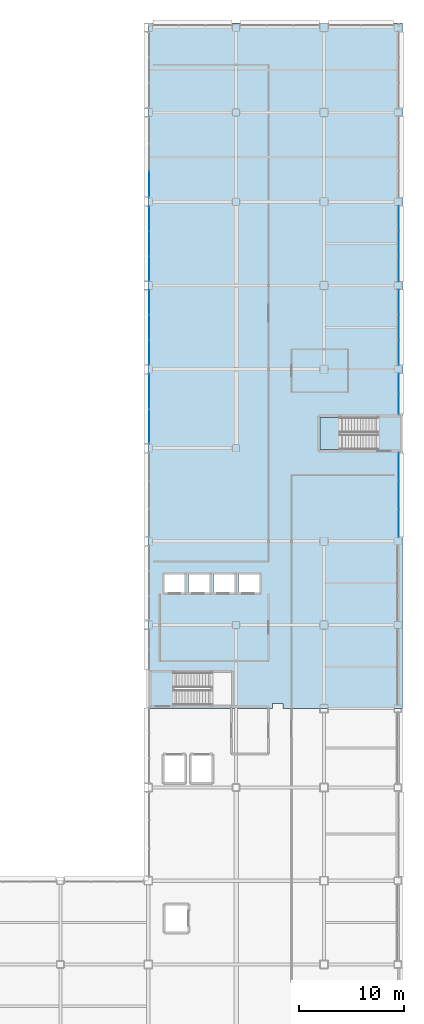
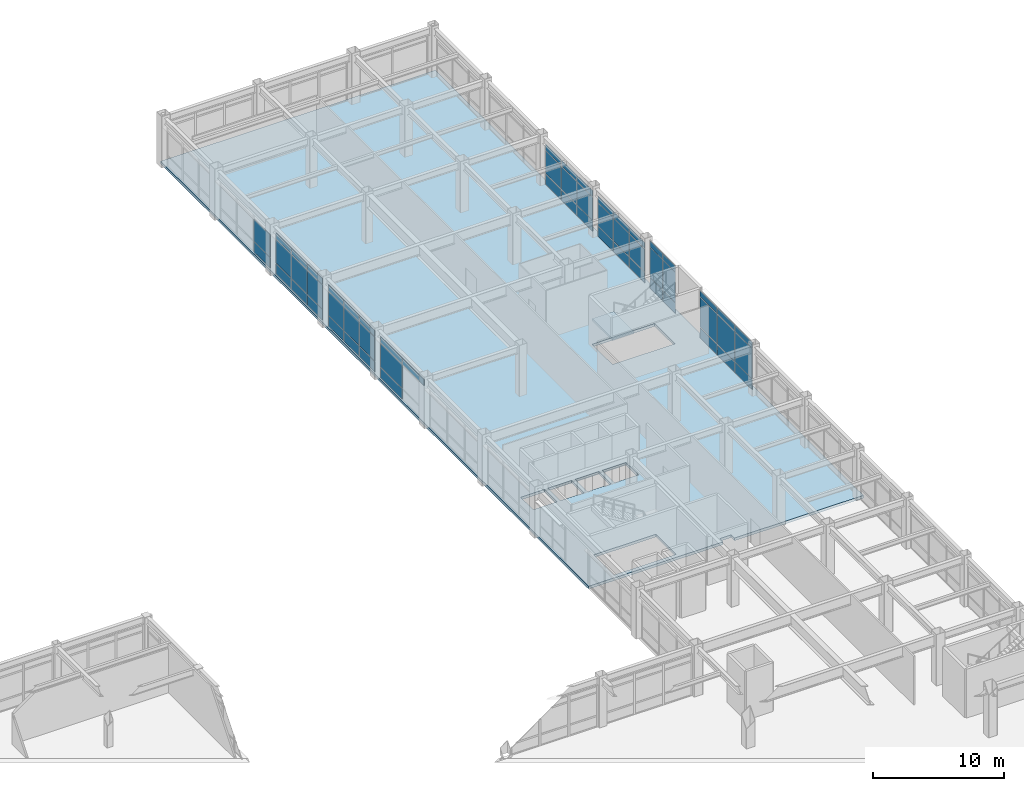
# One storey, part 127 of 154: 57 plates, 2 slabs, 9 elements without a shape of their own.
"""IFC4 building model written with IfcOpenShell, lengths in metres."""

from ifc_helpers import new_model, si_unit, direction, frame, origin, origin_2d, place, context, subcontext, project, spatial, polyline, rectangle, outline, extrude, material, layer, layer_set, type_object, element, aggregate, save


model = new_model("IFC4")

# Units and contexts
model_context = context("Model", 3, precision=1e-05, world=origin(), true_north=direction((0.0, 1.0)))
body_context = subcontext(model_context, "Body", "Model", "MODEL_VIEW")
ifc_project = project(units=[si_unit("LENGTHUNIT", "METRE"), si_unit("AREAUNIT", "SQUARE_METRE"), si_unit("VOLUMEUNIT", "CUBIC_METRE"), si_unit("PLANEANGLEUNIT", "RADIAN"), si_unit("MASSUNIT", "GRAM", prefix="KILO")], contexts=[model_context])

# Site, building, storey
site_placement = place(None, origin())
site = spatial("IfcSite", under=ifc_project, at=site_placement, CompositionType="ELEMENT")
building_placement = place(site_placement, origin())
building = spatial("IfcBuilding", under=site, at=building_placement, Name="Kazehara Bluff Congress Hotel", CompositionType="ELEMENT")
storey_placement = place(building_placement, frame((0.0, 0.0, 10.199951171875)))
storey = spatial("IfcBuildingStorey", under=building, at=storey_placement, Name="L02", CompositionType="ELEMENT", Elevation=10.199951171875)

# Curtain wall, plates
ifc_material_1 = material(Name="Anodised aluminium", Category="aluminium")
ifc_layer_1 = layer(ifc_material_1, 0.159912109375)
ifc_layer_set_1 = layer_set([ifc_layer_1], Name="Anodised aluminium")
curtain_wall_type_1 = type_object("IfcCurtainWallType", Name="TP-CW-80", PredefinedType="NOTDEFINED", material=ifc_layer_set_1)
curtain_wall_1_placement = place(storey_placement, origin())
curtain_wall_1 = element("IfcCurtainWall", 1, at=curtain_wall_1_placement, inside=storey, type_object=curtain_wall_type_1, Name="L02 curtain wall CW-80 CW-ENC-V5-L02-16765-8490", PredefinedType="NOTDEFINED")
ifc_material_2 = material(Name="Insulated low-E double glazing", Category="glass")
ifc_layer_2 = layer(ifc_material_2, 0.028076171875)
ifc_layer_set_2 = layer_set([ifc_layer_2], Name="Insulated low-E double glazing")
plate_type_1 = type_object("IfcPlateType", Name="TP-CWP-01", PredefinedType="CURTAIN_PANEL", material=ifc_layer_set_2)
plate_1_placement = place(storey_placement, frame((167.64990234375, 87.317138671875, 0.06494140625), z_axis=(0.0, 0.0, 1.0), x_axis=(0.0, -1.0, 0.0)))
plate_1 = element("IfcPlate", 2, at=plate_1_placement, type_object=plate_type_1, Name="CW-80 panel 1.1", PredefinedType="CURTAIN_PANEL", context=body_context, shape_type="SweptSolid", body=[
    extrude(rectangle(XDim=2.3359375, YDim=0.028076171875, at=origin_2d()), origin(), (0.0, 0.0, 1.0), 0.952392578125),
])
plate_2_placement = place(storey_placement, frame((167.64990234375, 87.317138671875, 1.08251953125), z_axis=(0.0, 0.0, 1.0), x_axis=(0.0, -1.0, 0.0)))
plate_2 = element("IfcPlate", 3, at=plate_2_placement, type_object=plate_type_1, Name="CW-80 panel 1.2", PredefinedType="CURTAIN_PANEL", context=body_context, shape_type="SweptSolid", body=[
    extrude(rectangle(XDim=2.3359375, YDim=0.028076171875, at=origin_2d()), origin(), (0.0, 0.0, 1.0), 2.1201171875),
])
plate_3_placement = place(storey_placement, frame((167.64990234375, 87.317138671875, 3.267578125), z_axis=(0.0, 0.0, 1.0), x_axis=(0.0, -1.0, 0.0)))
plate_3 = element("IfcPlate", 4, at=plate_3_placement, type_object=plate_type_1, Name="CW-80 panel 1.3", PredefinedType="CURTAIN_PANEL", context=body_context, shape_type="SweptSolid", body=[
    extrude(rectangle(XDim=2.3359375, YDim=0.028076171875, at=origin_2d()), origin(), (0.0, 0.0, 1.0), 0.552490234375),
])
plate_4_placement = place(storey_placement, frame((167.64990234375, 84.89990234375, 0.06494140625), z_axis=(0.0, 0.0, 1.0), x_axis=(0.0, -1.0, 0.0)))
plate_4 = element("IfcPlate", 5, at=plate_4_placement, type_object=plate_type_1, Name="CW-80 panel 2.1", PredefinedType="CURTAIN_PANEL", context=body_context, shape_type="SweptSolid", body=[
    extrude(rectangle(XDim=2.368408203125, YDim=0.028076171875, at=origin_2d()), origin(), (0.0, 0.0, 1.0), 0.952392578125),
])
plate_5_placement = place(storey_placement, frame((167.64990234375, 84.89990234375, 1.08251953125), z_axis=(0.0, 0.0, 1.0), x_axis=(0.0, -1.0, 0.0)))
plate_5 = element("IfcPlate", 6, at=plate_5_placement, type_object=plate_type_1, Name="CW-80 panel 2.2", PredefinedType="CURTAIN_PANEL", context=body_context, shape_type="SweptSolid", body=[
    extrude(rectangle(XDim=2.368408203125, YDim=0.028076171875, at=origin_2d()), origin(), (0.0, 0.0, 1.0), 2.1201171875),
])
plate_6_placement = place(storey_placement, frame((167.64990234375, 84.89990234375, 3.267578125), z_axis=(0.0, 0.0, 1.0), x_axis=(0.0, -1.0, 0.0)))
plate_6 = element("IfcPlate", 7, at=plate_6_placement, type_object=plate_type_1, Name="CW-80 panel 2.3", PredefinedType="CURTAIN_PANEL", context=body_context, shape_type="SweptSolid", body=[
    extrude(rectangle(XDim=2.368408203125, YDim=0.028076171875, at=origin_2d()), origin(), (0.0, 0.0, 1.0), 0.552490234375),
])
plate_7_placement = place(storey_placement, frame((167.64990234375, 82.48291015625, 0.06494140625), z_axis=(0.0, 0.0, 1.0), x_axis=(0.0, -1.0, 0.0)))
plate_7 = element("IfcPlate", 8, at=plate_7_placement, type_object=plate_type_1, Name="CW-80 panel 3.1", PredefinedType="CURTAIN_PANEL", context=body_context, shape_type="SweptSolid", body=[
    extrude(rectangle(XDim=2.3359375, YDim=0.028076171875, at=origin_2d()), origin(), (0.0, 0.0, 1.0), 0.952392578125),
])
plate_8_placement = place(storey_placement, frame((167.64990234375, 82.48291015625, 1.08251953125), z_axis=(0.0, 0.0, 1.0), x_axis=(0.0, -1.0, 0.0)))
plate_8 = element("IfcPlate", 9, at=plate_8_placement, type_object=plate_type_1, Name="CW-80 panel 3.2", PredefinedType="CURTAIN_PANEL", context=body_context, shape_type="SweptSolid", body=[
    extrude(rectangle(XDim=2.3359375, YDim=0.028076171875, at=origin_2d()), origin(), (0.0, 0.0, 1.0), 2.1201171875),
])
plate_9_placement = place(storey_placement, frame((167.64990234375, 82.48291015625, 3.267578125), z_axis=(0.0, 0.0, 1.0), x_axis=(0.0, -1.0, 0.0)))
plate_9 = element("IfcPlate", 10, at=plate_9_placement, type_object=plate_type_1, Name="CW-80 panel 3.3", PredefinedType="CURTAIN_PANEL", context=body_context, shape_type="SweptSolid", body=[
    extrude(rectangle(XDim=2.3359375, YDim=0.028076171875, at=origin_2d()), origin(), (0.0, 0.0, 1.0), 0.552490234375),
])
aggregate(curtain_wall_1, [plate_1, plate_2, plate_3, plate_4, plate_5, plate_6, plate_7, plate_8, plate_9])

curtain_wall_2_placement = place(storey_placement, origin())
curtain_wall_2 = element("IfcCurtainWall", 11, at=curtain_wall_2_placement, inside=storey, type_object=curtain_wall_type_1, Name="L02 curtain wall CW-80 CW-ENC-V5-L02-16765-9290", PredefinedType="NOTDEFINED")
plate_10_placement = place(storey_placement, frame((167.64990234375, 95.317138671875, 0.06494140625), z_axis=(0.0, 0.0, 1.0), x_axis=(0.0, -1.0, 0.0)))
plate_10 = element("IfcPlate", 12, at=plate_10_placement, type_object=plate_type_1, Name="CW-80 panel 1.1", PredefinedType="CURTAIN_PANEL", context=body_context, shape_type="SweptSolid", body=[
    extrude(rectangle(XDim=2.3359375, YDim=0.028076171875, at=origin_2d()), origin(), (0.0, 0.0, 1.0), 0.952392578125),
])
plate_11_placement = place(storey_placement, frame((167.64990234375, 95.317138671875, 1.08251953125), z_axis=(0.0, 0.0, 1.0), x_axis=(0.0, -1.0, 0.0)))
plate_11 = element("IfcPlate", 13, at=plate_11_placement, type_object=plate_type_1, Name="CW-80 panel 1.2", PredefinedType="CURTAIN_PANEL", context=body_context, shape_type="SweptSolid", body=[
    extrude(rectangle(XDim=2.3359375, YDim=0.028076171875, at=origin_2d()), origin(), (0.0, 0.0, 1.0), 2.1201171875),
])
plate_12_placement = place(storey_placement, frame((167.64990234375, 95.317138671875, 3.267578125), z_axis=(0.0, 0.0, 1.0), x_axis=(0.0, -1.0, 0.0)))
plate_12 = element("IfcPlate", 14, at=plate_12_placement, type_object=plate_type_1, Name="CW-80 panel 1.3", PredefinedType="CURTAIN_PANEL", context=body_context, shape_type="SweptSolid", body=[
    extrude(rectangle(XDim=2.3359375, YDim=0.028076171875, at=origin_2d()), origin(), (0.0, 0.0, 1.0), 0.552490234375),
])
plate_13_placement = place(storey_placement, frame((167.64990234375, 92.89990234375, 0.06494140625), z_axis=(0.0, 0.0, 1.0), x_axis=(0.0, -1.0, 0.0)))
plate_13 = element("IfcPlate", 15, at=plate_13_placement, type_object=plate_type_1, Name="CW-80 panel 2.1", PredefinedType="CURTAIN_PANEL", context=body_context, shape_type="SweptSolid", body=[
    extrude(rectangle(XDim=2.368408203125, YDim=0.028076171875, at=origin_2d()), origin(), (0.0, 0.0, 1.0), 0.952392578125),
])
plate_14_placement = place(storey_placement, frame((167.64990234375, 92.89990234375, 1.08251953125), z_axis=(0.0, 0.0, 1.0), x_axis=(0.0, -1.0, 0.0)))
plate_14 = element("IfcPlate", 16, at=plate_14_placement, type_object=plate_type_1, Name="CW-80 panel 2.2", PredefinedType="CURTAIN_PANEL", context=body_context, shape_type="SweptSolid", body=[
    extrude(rectangle(XDim=2.368408203125, YDim=0.028076171875, at=origin_2d()), origin(), (0.0, 0.0, 1.0), 2.1201171875),
])
plate_15_placement = place(storey_placement, frame((167.64990234375, 92.89990234375, 3.267578125), z_axis=(0.0, 0.0, 1.0), x_axis=(0.0, -1.0, 0.0)))
plate_15 = element("IfcPlate", 17, at=plate_15_placement, type_object=plate_type_1, Name="CW-80 panel 2.3", PredefinedType="CURTAIN_PANEL", context=body_context, shape_type="SweptSolid", body=[
    extrude(rectangle(XDim=2.368408203125, YDim=0.028076171875, at=origin_2d()), origin(), (0.0, 0.0, 1.0), 0.552490234375),
])
plate_16_placement = place(storey_placement, frame((167.64990234375, 90.48291015625, 0.06494140625), z_axis=(0.0, 0.0, 1.0), x_axis=(0.0, -1.0, 0.0)))
plate_16 = element("IfcPlate", 18, at=plate_16_placement, type_object=plate_type_1, Name="CW-80 panel 3.1", PredefinedType="CURTAIN_PANEL", context=body_context, shape_type="SweptSolid", body=[
    extrude(rectangle(XDim=2.3359375, YDim=0.028076171875, at=origin_2d()), origin(), (0.0, 0.0, 1.0), 0.952392578125),
])
plate_17_placement = place(storey_placement, frame((167.64990234375, 90.48291015625, 1.08251953125), z_axis=(0.0, 0.0, 1.0), x_axis=(0.0, -1.0, 0.0)))
plate_17 = element("IfcPlate", 19, at=plate_17_placement, type_object=plate_type_1, Name="CW-80 panel 3.2", PredefinedType="CURTAIN_PANEL", context=body_context, shape_type="SweptSolid", body=[
    extrude(rectangle(XDim=2.3359375, YDim=0.028076171875, at=origin_2d()), origin(), (0.0, 0.0, 1.0), 2.1201171875),
])
plate_18_placement = place(storey_placement, frame((167.64990234375, 90.48291015625, 3.267578125), z_axis=(0.0, 0.0, 1.0), x_axis=(0.0, -1.0, 0.0)))
plate_18 = element("IfcPlate", 20, at=plate_18_placement, type_object=plate_type_1, Name="CW-80 panel 3.3", PredefinedType="CURTAIN_PANEL", context=body_context, shape_type="SweptSolid", body=[
    extrude(rectangle(XDim=2.3359375, YDim=0.028076171875, at=origin_2d()), origin(), (0.0, 0.0, 1.0), 0.552490234375),
])
aggregate(curtain_wall_2, [plate_10, plate_11, plate_12, plate_13, plate_14, plate_15, plate_16, plate_17, plate_18])

ifc_material_3 = material(Name="Anodised aluminium", Category="aluminium")
ifc_layer_3 = layer(ifc_material_3, 0.159912109375)
ifc_layer_set_3 = layer_set([ifc_layer_3], Name="Anodised aluminium")
curtain_wall_type_2 = type_object("IfcCurtainWallType", Name="TP-CW-122", PredefinedType="NOTDEFINED", material=ifc_layer_set_3)
curtain_wall_3_placement = place(storey_placement, origin())
curtain_wall_3 = element("IfcCurtainWall", 21, at=curtain_wall_3_placement, inside=storey, type_object=curtain_wall_type_2, Name="L02 curtain wall CW-122 CW-ENC-V5-L02-14380-7712", PredefinedType="NOTDEFINED")
plate_19_placement = place(storey_placement, frame((143.800048828125, 75.453857421875, 3.36767578125), z_axis=(0.0, 0.0, 1.0), x_axis=(0.0, 1.0, 0.0)))
plate_19 = element("IfcPlate", 22, at=plate_19_placement, type_object=plate_type_1, Name="CW-122 panel 1.3", PredefinedType="CURTAIN_PANEL", context=body_context, shape_type="SweptSolid", body=[
    extrude(rectangle(XDim=3.277587890625, YDim=0.028076171875, at=origin_2d()), origin(), (0.0, 0.0, 1.0), 0.552490234375),
])
plate_20_placement = place(storey_placement, frame((143.800048828125, 78.796142578125, 0.06494140625), z_axis=(0.0, 0.0, 1.0), x_axis=(0.0, 1.0, 0.0)))
plate_20 = element("IfcPlate", 23, at=plate_20_placement, type_object=plate_type_1, Name="CW-122 panel 2.1", PredefinedType="CURTAIN_PANEL", context=body_context, shape_type="SweptSolid", body=[
    extrude(rectangle(XDim=3.277587890625, YDim=0.028076171875, at=origin_2d()), origin(), (0.0, 0.0, 1.0), 0.952392578125),
])
plate_21_placement = place(storey_placement, frame((143.800048828125, 78.796142578125, 1.08251953125), z_axis=(0.0, 0.0, 1.0), x_axis=(0.0, 1.0, 0.0)))
plate_21 = element("IfcPlate", 24, at=plate_21_placement, type_object=plate_type_1, Name="CW-122 panel 2.2", PredefinedType="CURTAIN_PANEL", context=body_context, shape_type="SweptSolid", body=[
    extrude(rectangle(XDim=3.277587890625, YDim=0.028076171875, at=origin_2d()), origin(), (0.0, 0.0, 1.0), 2.219970703125),
])
plate_22_placement = place(storey_placement, frame((143.800048828125, 78.796142578125, 3.36767578125), z_axis=(0.0, 0.0, 1.0), x_axis=(0.0, 1.0, 0.0)))
plate_22 = element("IfcPlate", 25, at=plate_22_placement, type_object=plate_type_1, Name="CW-122 panel 2.3", PredefinedType="CURTAIN_PANEL", context=body_context, shape_type="SweptSolid", body=[
    extrude(rectangle(XDim=3.277587890625, YDim=0.028076171875, at=origin_2d()), origin(), (0.0, 0.0, 1.0), 0.552490234375),
])
aggregate(curtain_wall_3, [plate_19, plate_20, plate_21, plate_22])

ifc_material_4 = material(Name="Anodised aluminium", Category="aluminium")
ifc_layer_4 = layer(ifc_material_4, 0.159912109375)
ifc_layer_set_4 = layer_set([ifc_layer_4], Name="Anodised aluminium")
curtain_wall_type_3 = type_object("IfcCurtainWallType", Name="TP-CW-120", PredefinedType="NOTDEFINED", material=ifc_layer_set_4)
curtain_wall_4_placement = place(storey_placement, origin())
curtain_wall_4 = element("IfcCurtainWall", 26, at=curtain_wall_4_placement, inside=storey, type_object=curtain_wall_type_3, Name="L02 curtain wall CW-120 CW-ENC-V5-L02-14380-8490", PredefinedType="NOTDEFINED")
plate_23_placement = place(storey_placement, frame((143.800048828125, 82.516357421875, 0.06494140625), z_axis=(0.0, 0.0, 1.0), x_axis=(0.0, 1.0, 0.0)))
plate_23 = element("IfcPlate", 27, at=plate_23_placement, type_object=plate_type_1, Name="CW-120 panel 1.1", PredefinedType="CURTAIN_PANEL", context=body_context, shape_type="SweptSolid", body=[
    extrude(rectangle(XDim=2.302490234375, YDim=0.028076171875, at=origin_2d()), origin(), (0.0, 0.0, 1.0), 0.952392578125),
])
plate_24_placement = place(storey_placement, frame((143.800048828125, 82.516357421875, 1.08251953125), z_axis=(0.0, 0.0, 1.0), x_axis=(0.0, 1.0, 0.0)))
plate_24 = element("IfcPlate", 28, at=plate_24_placement, type_object=plate_type_1, Name="CW-120 panel 1.2", PredefinedType="CURTAIN_PANEL", context=body_context, shape_type="SweptSolid", body=[
    extrude(rectangle(XDim=2.302490234375, YDim=0.028076171875, at=origin_2d()), origin(), (0.0, 0.0, 1.0), 2.219970703125),
])
plate_25_placement = place(storey_placement, frame((143.800048828125, 82.516357421875, 3.36767578125), z_axis=(0.0, 0.0, 1.0), x_axis=(0.0, 1.0, 0.0)))
plate_25 = element("IfcPlate", 29, at=plate_25_placement, type_object=plate_type_1, Name="CW-120 panel 1.3", PredefinedType="CURTAIN_PANEL", context=body_context, shape_type="SweptSolid", body=[
    extrude(rectangle(XDim=2.302490234375, YDim=0.028076171875, at=origin_2d()), origin(), (0.0, 0.0, 1.0), 0.552490234375),
])
plate_26_placement = place(storey_placement, frame((143.800048828125, 84.89990234375, 0.06494140625), z_axis=(0.0, 0.0, 1.0), x_axis=(0.0, 1.0, 0.0)))
plate_26 = element("IfcPlate", 30, at=plate_26_placement, type_object=plate_type_1, Name="CW-120 panel 2.1", PredefinedType="CURTAIN_PANEL", context=body_context, shape_type="SweptSolid", body=[
    extrude(rectangle(XDim=2.3349609375, YDim=0.028076171875, at=origin_2d()), origin(), (0.0, 0.0, 1.0), 0.952392578125),
])
plate_27_placement = place(storey_placement, frame((143.800048828125, 84.89990234375, 1.08251953125), z_axis=(0.0, 0.0, 1.0), x_axis=(0.0, 1.0, 0.0)))
plate_27 = element("IfcPlate", 31, at=plate_27_placement, type_object=plate_type_1, Name="CW-120 panel 2.2", PredefinedType="CURTAIN_PANEL", context=body_context, shape_type="SweptSolid", body=[
    extrude(rectangle(XDim=2.3349609375, YDim=0.028076171875, at=origin_2d()), origin(), (0.0, 0.0, 1.0), 2.219970703125),
])
plate_28_placement = place(storey_placement, frame((143.800048828125, 84.89990234375, 3.36767578125), z_axis=(0.0, 0.0, 1.0), x_axis=(0.0, 1.0, 0.0)))
plate_28 = element("IfcPlate", 32, at=plate_28_placement, type_object=plate_type_1, Name="CW-120 panel 2.3", PredefinedType="CURTAIN_PANEL", context=body_context, shape_type="SweptSolid", body=[
    extrude(rectangle(XDim=2.3349609375, YDim=0.028076171875, at=origin_2d()), origin(), (0.0, 0.0, 1.0), 0.552490234375),
])
plate_29_placement = place(storey_placement, frame((143.800048828125, 87.28369140625, 0.06494140625), z_axis=(0.0, 0.0, 1.0), x_axis=(0.0, 1.0, 0.0)))
plate_29 = element("IfcPlate", 33, at=plate_29_placement, type_object=plate_type_1, Name="CW-120 panel 3.1", PredefinedType="CURTAIN_PANEL", context=body_context, shape_type="SweptSolid", body=[
    extrude(rectangle(XDim=2.302490234375, YDim=0.028076171875, at=origin_2d()), origin(), (0.0, 0.0, 1.0), 0.952392578125),
])
plate_30_placement = place(storey_placement, frame((143.800048828125, 87.28369140625, 1.08251953125), z_axis=(0.0, 0.0, 1.0), x_axis=(0.0, 1.0, 0.0)))
plate_30 = element("IfcPlate", 34, at=plate_30_placement, type_object=plate_type_1, Name="CW-120 panel 3.2", PredefinedType="CURTAIN_PANEL", context=body_context, shape_type="SweptSolid", body=[
    extrude(rectangle(XDim=2.302490234375, YDim=0.028076171875, at=origin_2d()), origin(), (0.0, 0.0, 1.0), 2.219970703125),
])
plate_31_placement = place(storey_placement, frame((143.800048828125, 87.28369140625, 3.36767578125), z_axis=(0.0, 0.0, 1.0), x_axis=(0.0, 1.0, 0.0)))
plate_31 = element("IfcPlate", 35, at=plate_31_placement, type_object=plate_type_1, Name="CW-120 panel 3.3", PredefinedType="CURTAIN_PANEL", context=body_context, shape_type="SweptSolid", body=[
    extrude(rectangle(XDim=2.302490234375, YDim=0.028076171875, at=origin_2d()), origin(), (0.0, 0.0, 1.0), 0.552490234375),
])
aggregate(curtain_wall_4, [plate_23, plate_24, plate_25, plate_26, plate_27, plate_28, plate_29, plate_30, plate_31])

curtain_wall_5_placement = place(storey_placement, origin())
curtain_wall_5 = element("IfcCurtainWall", 36, at=curtain_wall_5_placement, inside=storey, type_object=curtain_wall_type_3, Name="L02 curtain wall CW-120 CW-ENC-V5-L02-14380-9290", PredefinedType="NOTDEFINED")
plate_32_placement = place(storey_placement, frame((143.800048828125, 90.516357421875, 0.06494140625), z_axis=(0.0, 0.0, 1.0), x_axis=(0.0, 1.0, 0.0)))
plate_32 = element("IfcPlate", 37, at=plate_32_placement, type_object=plate_type_1, Name="CW-120 panel 1.1", PredefinedType="CURTAIN_PANEL", context=body_context, shape_type="SweptSolid", body=[
    extrude(rectangle(XDim=2.302490234375, YDim=0.028076171875, at=origin_2d()), origin(), (0.0, 0.0, 1.0), 0.952392578125),
])
plate_33_placement = place(storey_placement, frame((143.800048828125, 90.516357421875, 1.08251953125), z_axis=(0.0, 0.0, 1.0), x_axis=(0.0, 1.0, 0.0)))
plate_33 = element("IfcPlate", 38, at=plate_33_placement, type_object=plate_type_1, Name="CW-120 panel 1.2", PredefinedType="CURTAIN_PANEL", context=body_context, shape_type="SweptSolid", body=[
    extrude(rectangle(XDim=2.302490234375, YDim=0.028076171875, at=origin_2d()), origin(), (0.0, 0.0, 1.0), 2.219970703125),
])
plate_34_placement = place(storey_placement, frame((143.800048828125, 90.516357421875, 3.36767578125), z_axis=(0.0, 0.0, 1.0), x_axis=(0.0, 1.0, 0.0)))
plate_34 = element("IfcPlate", 39, at=plate_34_placement, type_object=plate_type_1, Name="CW-120 panel 1.3", PredefinedType="CURTAIN_PANEL", context=body_context, shape_type="SweptSolid", body=[
    extrude(rectangle(XDim=2.302490234375, YDim=0.028076171875, at=origin_2d()), origin(), (0.0, 0.0, 1.0), 0.552490234375),
])
plate_35_placement = place(storey_placement, frame((143.800048828125, 92.89990234375, 0.06494140625), z_axis=(0.0, 0.0, 1.0), x_axis=(0.0, 1.0, 0.0)))
plate_35 = element("IfcPlate", 40, at=plate_35_placement, type_object=plate_type_1, Name="CW-120 panel 2.1", PredefinedType="CURTAIN_PANEL", context=body_context, shape_type="SweptSolid", body=[
    extrude(rectangle(XDim=2.3349609375, YDim=0.028076171875, at=origin_2d()), origin(), (0.0, 0.0, 1.0), 0.952392578125),
])
plate_36_placement = place(storey_placement, frame((143.800048828125, 92.89990234375, 1.08251953125), z_axis=(0.0, 0.0, 1.0), x_axis=(0.0, 1.0, 0.0)))
plate_36 = element("IfcPlate", 41, at=plate_36_placement, type_object=plate_type_1, Name="CW-120 panel 2.2", PredefinedType="CURTAIN_PANEL", context=body_context, shape_type="SweptSolid", body=[
    extrude(rectangle(XDim=2.3349609375, YDim=0.028076171875, at=origin_2d()), origin(), (0.0, 0.0, 1.0), 2.219970703125),
])
plate_37_placement = place(storey_placement, frame((143.800048828125, 92.89990234375, 3.36767578125), z_axis=(0.0, 0.0, 1.0), x_axis=(0.0, 1.0, 0.0)))
plate_37 = element("IfcPlate", 42, at=plate_37_placement, type_object=plate_type_1, Name="CW-120 panel 2.3", PredefinedType="CURTAIN_PANEL", context=body_context, shape_type="SweptSolid", body=[
    extrude(rectangle(XDim=2.3349609375, YDim=0.028076171875, at=origin_2d()), origin(), (0.0, 0.0, 1.0), 0.552490234375),
])
plate_38_placement = place(storey_placement, frame((143.800048828125, 95.28369140625, 0.06494140625), z_axis=(0.0, 0.0, 1.0), x_axis=(0.0, 1.0, 0.0)))
plate_38 = element("IfcPlate", 43, at=plate_38_placement, type_object=plate_type_1, Name="CW-120 panel 3.1", PredefinedType="CURTAIN_PANEL", context=body_context, shape_type="SweptSolid", body=[
    extrude(rectangle(XDim=2.302490234375, YDim=0.028076171875, at=origin_2d()), origin(), (0.0, 0.0, 1.0), 0.952392578125),
])
plate_39_placement = place(storey_placement, frame((143.800048828125, 95.28369140625, 1.08251953125), z_axis=(0.0, 0.0, 1.0), x_axis=(0.0, 1.0, 0.0)))
plate_39 = element("IfcPlate", 44, at=plate_39_placement, type_object=plate_type_1, Name="CW-120 panel 3.2", PredefinedType="CURTAIN_PANEL", context=body_context, shape_type="SweptSolid", body=[
    extrude(rectangle(XDim=2.302490234375, YDim=0.028076171875, at=origin_2d()), origin(), (0.0, 0.0, 1.0), 2.219970703125),
])
plate_40_placement = place(storey_placement, frame((143.800048828125, 95.28369140625, 3.36767578125), z_axis=(0.0, 0.0, 1.0), x_axis=(0.0, 1.0, 0.0)))
plate_40 = element("IfcPlate", 45, at=plate_40_placement, type_object=plate_type_1, Name="CW-120 panel 3.3", PredefinedType="CURTAIN_PANEL", context=body_context, shape_type="SweptSolid", body=[
    extrude(rectangle(XDim=2.302490234375, YDim=0.028076171875, at=origin_2d()), origin(), (0.0, 0.0, 1.0), 0.552490234375),
])
aggregate(curtain_wall_5, [plate_32, plate_33, plate_34, plate_35, plate_36, plate_37, plate_38, plate_39, plate_40])

ifc_material_5 = material(Name="Anodised aluminium", Category="aluminium")
ifc_layer_5 = layer(ifc_material_5, 0.159912109375)
ifc_layer_set_5 = layer_set([ifc_layer_5], Name="Anodised aluminium")
curtain_wall_type_4 = type_object("IfcCurtainWallType", Name="TP-CW-123", PredefinedType="NOTDEFINED", material=ifc_layer_set_5)
curtain_wall_6_placement = place(storey_placement, origin())
curtain_wall_6 = element("IfcCurtainWall", 46, at=curtain_wall_6_placement, inside=storey, type_object=curtain_wall_type_4, Name="L02 curtain wall CW-123 CW-ENC-V5-L02-14380-10118", PredefinedType="NOTDEFINED")
plate_41_placement = place(storey_placement, frame((143.800048828125, 98.60791015625, 0.06494140625), z_axis=(0.0, 0.0, 1.0), x_axis=(0.0, 1.0, 0.0)))
plate_41 = element("IfcPlate", 47, at=plate_41_placement, type_object=plate_type_1, Name="CW-123 panel 1.1", PredefinedType="CURTAIN_PANEL", context=body_context, shape_type="SweptSolid", body=[
    extrude(rectangle(XDim=2.48583984375, YDim=0.028076171875, at=origin_2d()), origin(), (0.0, 0.0, 1.0), 0.952392578125),
])
plate_42_placement = place(storey_placement, frame((143.800048828125, 98.60791015625, 1.08251953125), z_axis=(0.0, 0.0, 1.0), x_axis=(0.0, 1.0, 0.0)))
plate_42 = element("IfcPlate", 48, at=plate_42_placement, type_object=plate_type_1, Name="CW-123 panel 1.2", PredefinedType="CURTAIN_PANEL", context=body_context, shape_type="SweptSolid", body=[
    extrude(rectangle(XDim=2.48583984375, YDim=0.028076171875, at=origin_2d()), origin(), (0.0, 0.0, 1.0), 2.070068359375),
])
aggregate(curtain_wall_6, [plate_41, plate_42])

ifc_material_6 = material(Name="Anodised aluminium", Category="aluminium")
ifc_layer_6 = layer(ifc_material_6, 0.159912109375)
ifc_layer_set_6 = layer_set([ifc_layer_6], Name="Anodised aluminium")
curtain_wall_type_5 = type_object("IfcCurtainWallType", Name="TP-CW-115", PredefinedType="NOTDEFINED", material=ifc_layer_set_6)
curtain_wall_7_placement = place(storey_placement, origin())
curtain_wall_7 = element("IfcCurtainWall", 49, at=curtain_wall_7_placement, inside=storey, type_object=curtain_wall_type_5, Name="L02 curtain wall CW-115 CW-ENC-V5-L02-16765-6887", PredefinedType="NOTDEFINED")
ifc_material_7 = material(Name="Insulated low-E double glazing", Category="glass")
ifc_layer_7 = layer(ifc_material_7, 0.031982421875)
ifc_layer_set_7 = layer_set([ifc_layer_7], Name="Insulated low-E double glazing")
plate_type_2 = type_object("IfcPlateType", Name="TP-CWP-02", PredefinedType="CURTAIN_PANEL", material=ifc_layer_set_7)
plate_43_placement = place(storey_placement, frame((167.64990234375, 71.56591796875, 0.06494140625), z_axis=(0.0, 0.0, 1.0), x_axis=(0.0, -1.0, 0.0)))
plate_43 = element("IfcPlate", 50, at=plate_43_placement, type_object=plate_type_2, Name="CW-115 panel 1.1", PredefinedType="CURTAIN_PANEL", context=body_context, shape_type="SweptSolid", body=[
    extrude(rectangle(XDim=2.6083984375, YDim=0.031982421875, at=origin_2d()), origin(), (0.0, 0.0, 1.0), 0.952392578125),
])
plate_44_placement = place(storey_placement, frame((167.64990234375, 71.56591796875, 1.08251953125), z_axis=(0.0, 0.0, 1.0), x_axis=(0.0, -1.0, 0.0)))
plate_44 = element("IfcPlate", 51, at=plate_44_placement, type_object=plate_type_2, Name="CW-115 panel 1.2", PredefinedType="CURTAIN_PANEL", context=body_context, shape_type="SweptSolid", body=[
    extrude(rectangle(XDim=2.6083984375, YDim=0.031982421875, at=origin_2d()), origin(), (0.0, 0.0, 1.0), 2.780029296875),
])
plate_45_placement = place(storey_placement, frame((167.64990234375, 71.56591796875, 3.927734375), z_axis=(0.0, 0.0, 1.0), x_axis=(0.0, -1.0, 0.0)))
plate_45 = element("IfcPlate", 52, at=plate_45_placement, type_object=plate_type_2, Name="CW-115 panel 1.3", PredefinedType="CURTAIN_PANEL", context=body_context, shape_type="SweptSolid", body=[
    extrude(rectangle(XDim=2.6083984375, YDim=0.031982421875, at=origin_2d()), origin(), (0.0, 0.0, 1.0), 0.552490234375),
])
plate_46_placement = place(storey_placement, frame((167.64990234375, 68.8701171875, 0.06494140625), z_axis=(0.0, 0.0, 1.0), x_axis=(0.0, -1.0, 0.0)))
plate_46 = element("IfcPlate", 53, at=plate_46_placement, type_object=plate_type_2, Name="CW-115 panel 2.1", PredefinedType="CURTAIN_PANEL", context=body_context, shape_type="SweptSolid", body=[
    extrude(rectangle(XDim=2.643310546875, YDim=0.031982421875, at=origin_2d()), origin(), (0.0, 0.0, 1.0), 0.952392578125),
])
plate_47_placement = place(storey_placement, frame((167.64990234375, 68.8701171875, 1.08251953125), z_axis=(0.0, 0.0, 1.0), x_axis=(0.0, -1.0, 0.0)))
plate_47 = element("IfcPlate", 54, at=plate_47_placement, type_object=plate_type_2, Name="CW-115 panel 2.2", PredefinedType="CURTAIN_PANEL", context=body_context, shape_type="SweptSolid", body=[
    extrude(rectangle(XDim=2.643310546875, YDim=0.031982421875, at=origin_2d()), origin(), (0.0, 0.0, 1.0), 2.780029296875),
])
plate_48_placement = place(storey_placement, frame((167.64990234375, 68.8701171875, 3.927734375), z_axis=(0.0, 0.0, 1.0), x_axis=(0.0, -1.0, 0.0)))
plate_48 = element("IfcPlate", 55, at=plate_48_placement, type_object=plate_type_2, Name="CW-115 panel 2.3", PredefinedType="CURTAIN_PANEL", context=body_context, shape_type="SweptSolid", body=[
    extrude(rectangle(XDim=2.643310546875, YDim=0.031982421875, at=origin_2d()), origin(), (0.0, 0.0, 1.0), 0.552490234375),
])
plate_49_placement = place(storey_placement, frame((167.64990234375, 66.174072265625, 0.06494140625), z_axis=(0.0, 0.0, 1.0), x_axis=(0.0, -1.0, 0.0)))
plate_49 = element("IfcPlate", 56, at=plate_49_placement, type_object=plate_type_2, Name="CW-115 panel 3.1", PredefinedType="CURTAIN_PANEL", context=body_context, shape_type="SweptSolid", body=[
    extrude(rectangle(XDim=2.6083984375, YDim=0.031982421875, at=origin_2d()), origin(), (0.0, 0.0, 1.0), 0.952392578125),
])
plate_50_placement = place(storey_placement, frame((167.64990234375, 66.174072265625, 1.08251953125), z_axis=(0.0, 0.0, 1.0), x_axis=(0.0, -1.0, 0.0)))
plate_50 = element("IfcPlate", 57, at=plate_50_placement, type_object=plate_type_2, Name="CW-115 panel 3.2", PredefinedType="CURTAIN_PANEL", context=body_context, shape_type="SweptSolid", body=[
    extrude(rectangle(XDim=2.6083984375, YDim=0.031982421875, at=origin_2d()), origin(), (0.0, 0.0, 1.0), 2.780029296875),
])
plate_51_placement = place(storey_placement, frame((167.64990234375, 66.174072265625, 3.927734375), z_axis=(0.0, 0.0, 1.0), x_axis=(0.0, -1.0, 0.0)))
plate_51 = element("IfcPlate", 58, at=plate_51_placement, type_object=plate_type_2, Name="CW-115 panel 3.3", PredefinedType="CURTAIN_PANEL", context=body_context, shape_type="SweptSolid", body=[
    extrude(rectangle(XDim=2.6083984375, YDim=0.031982421875, at=origin_2d()), origin(), (0.0, 0.0, 1.0), 0.552490234375),
])
aggregate(curtain_wall_7, [plate_43, plate_44, plate_45, plate_46, plate_47, plate_48, plate_49, plate_50, plate_51])

ifc_material_8 = material(Name="Anodised aluminium", Category="aluminium")
ifc_layer_8 = layer(ifc_material_8, 0.159912109375)
ifc_layer_set_8 = layer_set([ifc_layer_8], Name="Anodised aluminium")
curtain_wall_type_6 = type_object("IfcCurtainWallType", Name="TP-CW-116", PredefinedType="NOTDEFINED", material=ifc_layer_set_8)
curtain_wall_8_placement = place(storey_placement, origin())
curtain_wall_8 = element("IfcCurtainWall", 59, at=curtain_wall_8_placement, inside=storey, type_object=curtain_wall_type_6, Name="L02 curtain wall CW-116 CW-ENC-V5-L02-16765-7856", PredefinedType="NOTDEFINED")
plate_52_placement = place(storey_placement, frame((167.64990234375, 79.534912109375, 0.06005859375), z_axis=(0.0, 0.0, 1.0), x_axis=(0.0, -1.0, 0.0)))
plate_52 = element("IfcPlate", 60, at=plate_52_placement, type_object=plate_type_2, Name="CW-116 panel 1.1", PredefinedType="CURTAIN_PANEL", context=body_context, shape_type="SweptSolid", body=[
    extrude(rectangle(XDim=1.889892578125, YDim=0.031982421875, at=origin_2d()), origin(), (0.0, 0.0, 1.0), 0.9599609375),
])
plate_53_placement = place(storey_placement, frame((167.64990234375, 79.534912109375, 1.080078125), z_axis=(0.0, 0.0, 1.0), x_axis=(0.0, -1.0, 0.0)))
plate_53 = element("IfcPlate", 61, at=plate_53_placement, type_object=plate_type_2, Name="CW-116 panel 1.2", PredefinedType="CURTAIN_PANEL", context=body_context, shape_type="SweptSolid", body=[
    extrude(rectangle(XDim=1.889892578125, YDim=0.031982421875, at=origin_2d()), origin(), (0.0, 0.0, 1.0), 2.784912109375),
])
plate_54_placement = place(storey_placement, frame((167.64990234375, 79.534912109375, 3.925048828125), z_axis=(0.0, 0.0, 1.0), x_axis=(0.0, -1.0, 0.0)))
plate_54 = element("IfcPlate", 62, at=plate_54_placement, type_object=plate_type_2, Name="CW-116 panel 1.3", PredefinedType="CURTAIN_PANEL", context=body_context, shape_type="SweptSolid", body=[
    extrude(rectangle(XDim=1.889892578125, YDim=0.031982421875, at=origin_2d()), origin(), (0.0, 0.0, 1.0), 0.56005859375),
])
plate_55_placement = place(storey_placement, frame((167.64990234375, 77.574951171875, 0.06005859375), z_axis=(0.0, 0.0, 1.0), x_axis=(0.0, -1.0, 0.0)))
plate_55 = element("IfcPlate", 63, at=plate_55_placement, type_object=plate_type_2, Name="CW-116 panel 2.1", PredefinedType="CURTAIN_PANEL", context=body_context, shape_type="SweptSolid", body=[
    extrude(rectangle(XDim=1.889892578125, YDim=0.031982421875, at=origin_2d()), origin(), (0.0, 0.0, 1.0), 0.9599609375),
])
plate_56_placement = place(storey_placement, frame((167.64990234375, 77.574951171875, 1.080078125), z_axis=(0.0, 0.0, 1.0), x_axis=(0.0, -1.0, 0.0)))
plate_56 = element("IfcPlate", 64, at=plate_56_placement, type_object=plate_type_2, Name="CW-116 panel 2.2", PredefinedType="CURTAIN_PANEL", context=body_context, shape_type="SweptSolid", body=[
    extrude(rectangle(XDim=1.889892578125, YDim=0.031982421875, at=origin_2d()), origin(), (0.0, 0.0, 1.0), 2.784912109375),
])
plate_57_placement = place(storey_placement, frame((167.64990234375, 77.574951171875, 3.925048828125), z_axis=(0.0, 0.0, 1.0), x_axis=(0.0, -1.0, 0.0)))
plate_57 = element("IfcPlate", 65, at=plate_57_placement, type_object=plate_type_2, Name="CW-116 panel 2.3", PredefinedType="CURTAIN_PANEL", context=body_context, shape_type="SweptSolid", body=[
    extrude(rectangle(XDim=1.889892578125, YDim=0.031982421875, at=origin_2d()), origin(), (0.0, 0.0, 1.0), 0.56005859375),
])
aggregate(curtain_wall_8, [plate_52, plate_53, plate_54, plate_55, plate_56, plate_57])

# Slab
ifc_material_9 = material(Name="Concrete C36/45", Category="concrete")
ifc_layer_9 = layer(ifc_material_9, 0.25)
ifc_layer_set_9 = layer_set([ifc_layer_9], Name="Concrete C36/45")
slab_type_1 = type_object("IfcSlabType", Name="TP-SL-250", PredefinedType="FLOOR", material=ifc_layer_set_9)
slab_1_placement = place(storey_placement, frame((0.0, 0.0, -0.25)))
element("IfcSlab", 66, at=slab_1_placement, inside=storey, type_object=slab_type_1, Name="L02 V5 composite floor slab N", PredefinedType="FLOOR", context=body_context, shape_type="SweptSolid", body=[
    extrude(outline(polyline([(168.0, 114.0), (168.0, 48.449951171875), (156.60009765625, 48.449951171875), (156.60009765625, 48.949951171875), (155.60009765625, 48.949951171875), (155.60009765625, 48.449951171875), (143.699951171875, 48.449951171875), (143.699951171875, 114.0), (168.0, 114.0)]), holes=[polyline([(146.125, 48.800048828125), (151.64990234375, 48.800048828125), (151.64990234375, 51.89990234375), (146.125, 51.89990234375), (146.125, 48.800048828125)]), polyline([(165.625, 76.300048828125), (160.10009765625, 76.300048828125), (160.10009765625, 73.199951171875), (165.625, 73.199951171875), (165.625, 76.300048828125)]), polyline([(145.14990234375, 59.449951171875), (147.25, 59.449951171875), (147.25, 61.35009765625), (145.14990234375, 61.35009765625), (145.14990234375, 59.449951171875)]), polyline([(147.550048828125, 59.449951171875), (149.64990234375, 59.449951171875), (149.64990234375, 61.35009765625), (147.550048828125, 61.35009765625), (147.550048828125, 59.449951171875)]), polyline([(149.949951171875, 59.449951171875), (152.050048828125, 59.449951171875), (152.050048828125, 61.35009765625), (149.949951171875, 61.35009765625), (149.949951171875, 59.449951171875)]), polyline([(152.35009765625, 59.449951171875), (154.449951171875, 59.449951171875), (154.449951171875, 61.35009765625), (152.35009765625, 61.35009765625), (152.35009765625, 59.449951171875)])]), origin(), (0.0, 0.0, 1.0), 0.25),
])

# Stair, slab
ifc_material_10 = material(Name="Concrete C36/45", Category="concrete")
stair_type = type_object("IfcStairType", Name="TP-ST-T04", PredefinedType="HALF_TURN_STAIR", material=ifc_material_10)
stair_placement = place(storey_placement, origin())
stair = element("IfcStair", 67, at=stair_placement, inside=storey, type_object=stair_type, Name="L02 Escape stair ST-12", PredefinedType="HALF_TURN_STAIR")
ifc_material_11 = material(Name="Concrete C36/45", Category="concrete")
ifc_layer_10 = layer(ifc_material_11, 0.199951171875)
ifc_layer_set_10 = layer_set([ifc_layer_10], Name="Concrete C36/45")
slab_type_2 = type_object("IfcSlabType", Name="TP-SLD-200", PredefinedType="LANDING", material=ifc_layer_set_10)
slab_2_placement = place(storey_placement, frame((0.0, 0.0, 2.199951171875)))
slab_2 = element("IfcSlab", 68, at=slab_2_placement, type_object=slab_type_2, Name="ST-12 landing 1", PredefinedType="LANDING", context=body_context, shape_type="SweptSolid", body=[
    extrude(outline(polyline([(162.010009765625, 76.300048828125), (160.10009765625, 76.300048828125), (160.10009765625, 73.199951171875), (162.010009765625, 73.199951171875), (162.010009765625, 76.300048828125)])), origin(), (0.0, 0.0, 1.0), 0.2001953125),
])
aggregate(stair, [slab_2])

save(model, "model.ifc")
